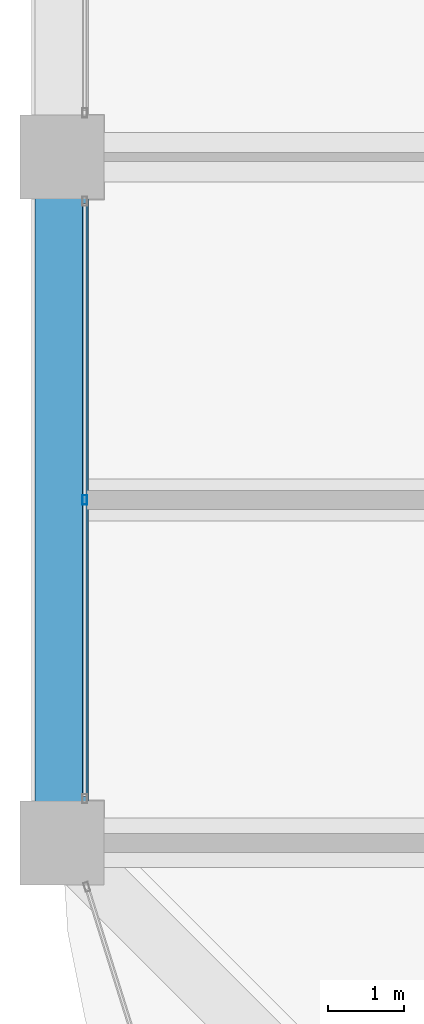
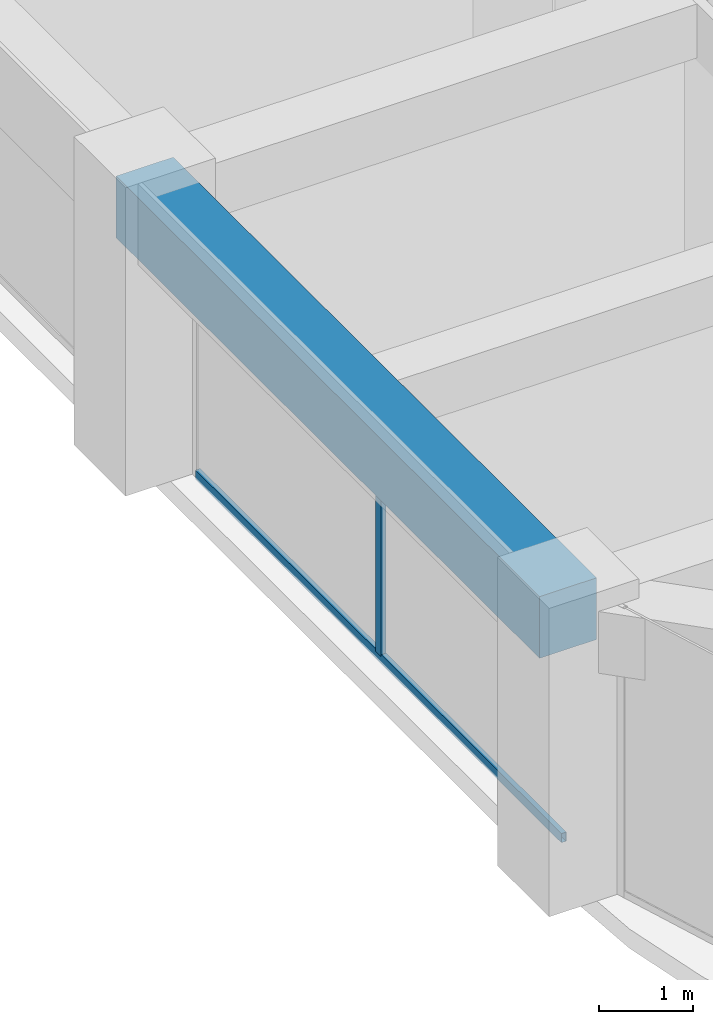
# One storey, part 7 of 44: 2 members, 1 beam, 1 element without a shape of its own.
"""IFC4 building model written with IfcOpenShell, lengths in metres."""

from ifc_helpers import new_model, si_unit, direction, frame, origin, origin_2d, place, context, subcontext, project, spatial, rectangle, hollow_rectangle, extrude, material, material_profile, profile_set, type_object, element, aggregate, save


model = new_model("IFC4")

# Units and contexts
model_context = context("Model", 3, precision=1e-05, world=origin(), true_north=direction((0.0, 1.0)))
body_context = subcontext(model_context, "Body", "Model", "MODEL_VIEW")
ifc_project = project(units=[si_unit("LENGTHUNIT", "METRE"), si_unit("AREAUNIT", "SQUARE_METRE"), si_unit("VOLUMEUNIT", "CUBIC_METRE"), si_unit("PLANEANGLEUNIT", "RADIAN"), si_unit("MASSUNIT", "GRAM", prefix="KILO")], contexts=[model_context])

# Site, building, storey
site_placement = place(None, origin())
site = spatial("IfcSite", under=ifc_project, at=site_placement, CompositionType="ELEMENT")
building_placement = place(site_placement, origin())
building = spatial("IfcBuilding", under=site, at=building_placement, Name="Zorevar Civic Tower", CompositionType="ELEMENT")
storey_placement = place(building_placement, frame((0.0, 0.0, 275.39990234375)))
storey = spatial("IfcBuildingStorey", under=building, at=storey_placement, Name="L67", CompositionType="ELEMENT", Elevation=275.39990234375)

# Curtain wall, members
ifc_material_1 = material(Name="Dark grey solar-control glass in black aluminium frame", Category="aluminium")
curtain_wall_type = type_object("IfcCurtainWallType", Name="Curtain wall CW5 top zone", PredefinedType="NOTDEFINED", material=ifc_material_1)
curtain_wall_placement = place(storey_placement, origin())
curtain_wall = element("IfcCurtainWall", 1, at=curtain_wall_placement, inside=storey, type_object=curtain_wall_type, Name="CW5 L67", PredefinedType="NOTDEFINED")
ifc_material_2 = material(Name="Aluminium, black anodised", Category="aluminium")
ifc_material_profile_1 = material_profile(ifc_material_2, hollow_rectangle(XDim=0.06005859375, YDim=0.1201171875, WallThickness=0.0029296875, at=origin_2d()), Name="AL 120x60x3")
ifc_profile_set_1 = profile_set([ifc_material_profile_1], Name="Aluminium, black anodised")
member_type_1 = type_object("IfcMemberType", Name="CW5 mullion AL 120x60x3", PredefinedType="MULLION", material=ifc_profile_set_1)
member_1_placement = place(storey_placement, frame((9.300048828125, 13.5, 0.06005859375), z_axis=(0.0, 0.0, 1.0), x_axis=(-1.0, 0.0, 0.0)))
member_1 = element("IfcMember", 2, at=member_1_placement, type_object=member_type_1, Name="CW5 mullion 2", PredefinedType="MULLION", context=body_context, shape_type="SweptSolid", body=[
    extrude(hollow_rectangle(XDim=0.06005859375, YDim=0.1201171875, WallThickness=0.0029296875, at=origin_2d()), origin(), (0.0, 0.0, 1.0), 2.89013671875),
])
ifc_material_3 = material(Name="Aluminium, black anodised", Category="aluminium")
ifc_material_profile_2 = material_profile(ifc_material_3, hollow_rectangle(XDim=0.06005859375, YDim=0.1201171875, WallThickness=0.0029296875, at=origin_2d()), Name="AL 120x60x3")
ifc_profile_set_2 = profile_set([ifc_material_profile_2], Name="Aluminium, black anodised")
member_type_2 = type_object("IfcMemberType", Name="CW5 transom AL 120x60x3", PredefinedType="USERDEFINED", material=ifc_profile_set_2)
member_2_placement = place(storey_placement, frame((9.300048828125, 9.610107421875, 0.030029296875), z_axis=(0.0, 1.0, 0.0), x_axis=(-1.0, 0.0, 0.0)))
member_2 = element("IfcMember", 3, at=member_2_placement, type_object=member_type_2, Name="CW5 sill transom", ObjectType="TRANSOM", PredefinedType="USERDEFINED", context=body_context, shape_type="SweptSolid", body=[
    extrude(hollow_rectangle(XDim=0.06005859375, YDim=0.1201171875, WallThickness=0.0029296875, at=origin_2d()), origin(), (0.0, 0.0, 1.0), 7.77978515625),
])
aggregate(curtain_wall, [member_1, member_2])

# Beam
ifc_material_4 = material(Name="Concrete C50/60", Category="concrete")
ifc_material_profile_3 = material_profile(ifc_material_4, rectangle(XDim=0.699951171875, YDim=0.800048828125, at=origin_2d()), Name="RC 700x800")
ifc_profile_set_3 = profile_set([ifc_material_profile_3], Name="Concrete C50/60")
beam_type = type_object("IfcBeamType", Name="Edge beam RC 700x800", PredefinedType="SPANDREL", material=ifc_profile_set_3)
beam_placement = place(storey_placement, frame((9.0, 9.0, 3.35009765625), z_axis=(0.0, 1.0, 0.0), x_axis=(-1.0, 0.0, 0.0)))
element("IfcBeam", 4, at=beam_placement, inside=storey, type_object=beam_type, Name="Edge beam L68", PredefinedType="SPANDREL", context=body_context, shape_type="SweptSolid", body=[
    extrude(rectangle(XDim=0.699951171875, YDim=0.800048828125, at=origin_2d()), origin(), (0.0, 0.0, 1.0), 9.0),
])

save(model, "model.ifc")
